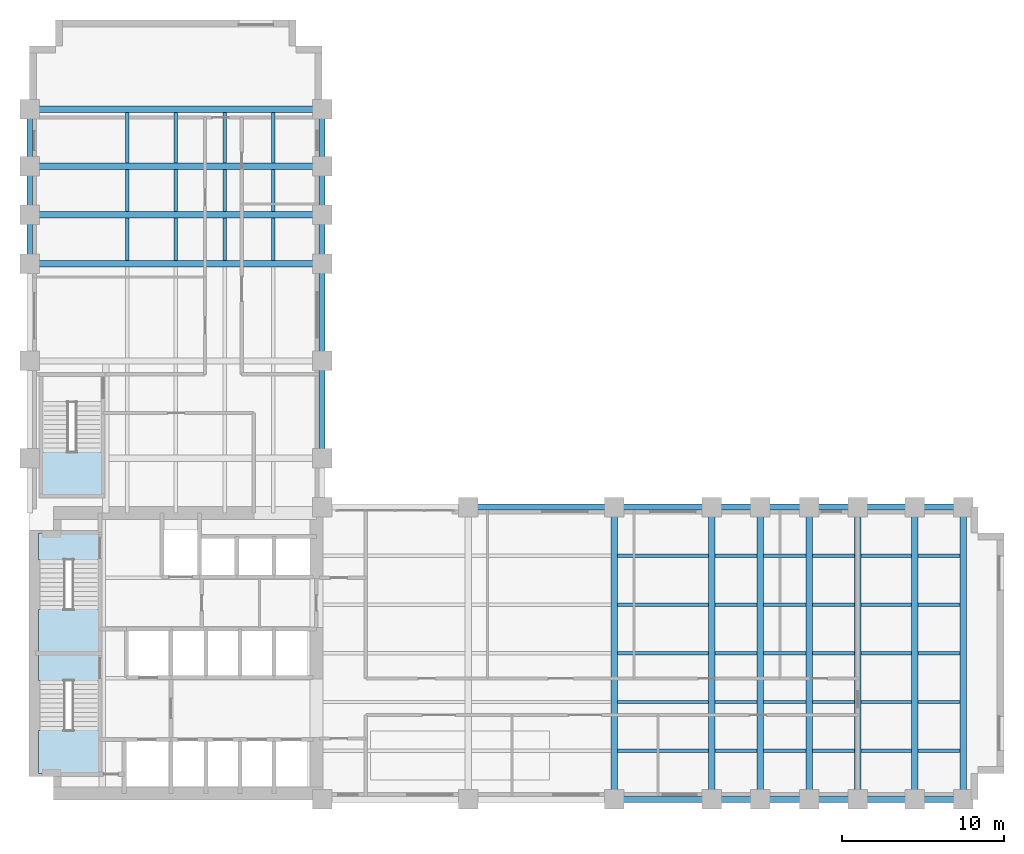
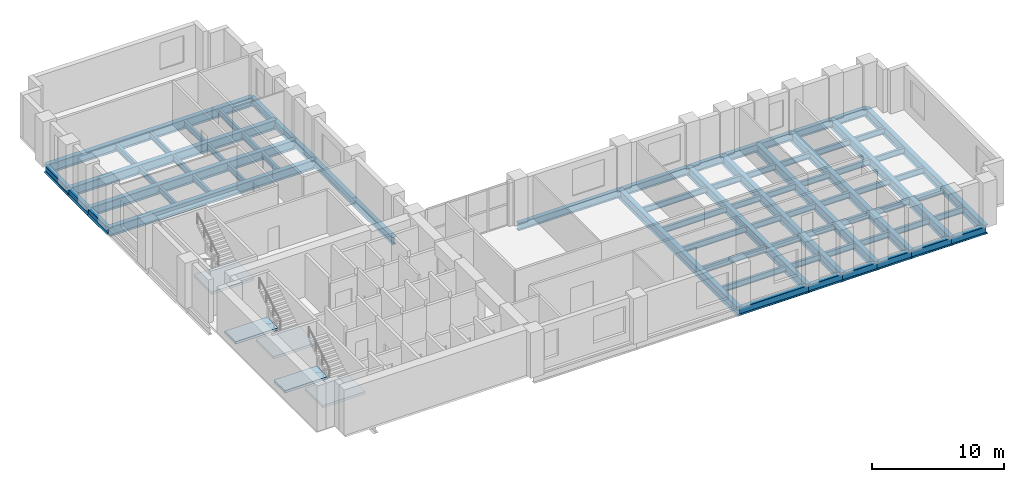
# One storey, part 3 of 8: 74 beams, 5 slabs, 3 elements without a shape of their own.
"""IFC4 building model written with IfcOpenShell, lengths in metres."""

from ifc_helpers import new_model, si_unit, direction, frame, origin, origin_2d, place, context, subcontext, project, spatial, polyline, i_section, outline, extrude, material, layer, layer_set, material_profile, profile_set, type_object, element, aggregate, save


model = new_model("IFC4")

# Units and contexts
model_context = context("Model", 3, precision=1e-05, world=origin(), true_north=direction((0.0, 1.0)))
body_context = subcontext(model_context, "Body", "Model", "MODEL_VIEW")
ifc_project = project(units=[si_unit("LENGTHUNIT", "METRE"), si_unit("AREAUNIT", "SQUARE_METRE"), si_unit("VOLUMEUNIT", "CUBIC_METRE"), si_unit("PLANEANGLEUNIT", "RADIAN"), si_unit("MASSUNIT", "GRAM", prefix="KILO")], contexts=[model_context])

# Site, building, storey
site_placement = place(None, origin())
site = spatial("IfcSite", under=ifc_project, at=site_placement, CompositionType="ELEMENT")
building_placement = place(site_placement, origin())
building = spatial("IfcBuilding", under=site, at=building_placement, Name="Mawjdan Bourse Tower", CompositionType="ELEMENT")
storey_placement = place(building_placement, frame((0.0, 0.0, 25.800048828125)))
storey = spatial("IfcBuildingStorey", under=building, at=storey_placement, Name="L05", CompositionType="ELEMENT", Elevation=25.800048828125)

# Beams
ifc_material_1 = material(Name="Structural Steel S355", Category="steel")
ifc_material_profile_1 = material_profile(ifc_material_1, i_section(OverallWidth=0.39892578125, OverallDepth=0.85595703125, WebThickness=0.018310546875, FlangeThickness=0.029296875, FilletRadius=0.0234375, at=origin_2d()), Name="W33X201")
ifc_profile_set_1 = profile_set([ifc_material_profile_1], Name="Structural Steel S355")
beam_type_1 = type_object("IfcBeamType", Name="GRD-W33X201", PredefinedType="BEAM", material=ifc_profile_set_1)
for number, where, z_axis, x_axis, name in (
    (1, (42.0, 3.0, -0.64794921875), (0.0, 1.0, 0.0), (-1.0, 0.0, 0.0), "L05 East Wing Clear-Span Girder 003"),
    (2, (48.0, 3.0, -0.64794921875), (0.0, 1.0, 0.0), (-1.0, 0.0, 0.0), "L05 East Wing Clear-Span Girder 004"),
    (3, (51.0, 3.0, -0.64794921875), (0.0, 1.0, 0.0), (-1.0, 0.0, 0.0), "L05 East Wing Clear-Span Girder 005"),
    (4, (54.0, 3.0, -0.64794921875), (0.0, 1.0, 0.0), (-1.0, 0.0, 0.0), "L05 East Wing Clear-Span Girder 006"),
    (5, (57.0, 3.0, -0.64794921875), (0.0, 1.0, 0.0), (-1.0, 0.0, 0.0), "L05 East Wing Clear-Span Girder 007"),
    (6, (60.5, 3.0, -0.64794921875), (0.0, 1.0, 0.0), (-1.0, 0.0, 0.0), "L05 East Wing Clear-Span Girder 008"),
    (7, (63.5, 3.0, -0.64794921875), (0.0, 1.0, 0.0), (-1.0, 0.0, 0.0), "L05 East Wing Clear-Span Girder 009"),
    (8, (6.0, 36.0, -0.64794921875), (1.0, 0.0, 0.0), (0.0, 1.0, 0.0), "L05 North Wing Clear-Span Girder 073"),
    (9, (6.0, 39.0, -0.64794921875), (1.0, 0.0, 0.0), (0.0, 1.0, 0.0), "L05 North Wing Clear-Span Girder 074"),
    (10, (6.0, 42.0, -0.64794921875), (1.0, 0.0, 0.0), (0.0, 1.0, 0.0), "L05 North Wing Clear-Span Girder 075"),
    (11, (6.0, 45.5, -0.64794921875), (1.0, 0.0, 0.0), (0.0, 1.0, 0.0), "L05 North Wing Clear-Span Girder 076"),
):
    element("IfcBeam", number, at=place(storey_placement, frame(where, z_axis=z_axis, x_axis=x_axis)), inside=storey, type_object=beam_type_1, Name=name, PredefinedType="BEAM", context=body_context, shape_type="SweptSolid", body=[
        extrude(i_section(OverallWidth=0.39892578125, OverallDepth=0.85595703125, WebThickness=0.018310546875, FlangeThickness=0.029296875, FilletRadius=0.0234375, at=origin_2d()), origin(), (0.0, 0.0, 1.0), 18.0),
    ])
ifc_material_profile_2 = material_profile(ifc_material_1, i_section(OverallWidth=0.2119140625, OverallDepth=0.5439453125, WebThickness=0.01318359375, FlangeThickness=0.021240234375, FilletRadius=0.01708984375, at=origin_2d()), Name="W21X83")
ifc_profile_set_2 = profile_set([ifc_material_profile_2], Name="Structural Steel S355")
beam_type_2 = type_object("IfcBeamType", Name="JST-W21X83", PredefinedType="JOIST", material=ifc_profile_set_2)
beam_1_placement = place(storey_placement, frame((42.197509765625, 6.0, -0.491943359375), z_axis=(1.0, 0.0, 0.0), x_axis=(0.0, 1.0, 0.0)))
element("IfcBeam", 12, at=beam_1_placement, inside=storey, type_object=beam_type_2, Name="L05 East Wing Composite Joist 028", PredefinedType="JOIST", context=body_context, shape_type="SweptSolid", body=[
    extrude(i_section(OverallWidth=0.2119140625, OverallDepth=0.5439453125, WebThickness=0.01318359375, FlangeThickness=0.021240234375, FilletRadius=0.01708984375, at=origin_2d()), origin(), (0.0, 0.0, 1.0), 5.60498046875),
])
for number, where, z_axis, x_axis, name in (
    (13, (48.197509765625, 6.0, -0.491943359375), (1.0, 0.0, 0.0), (0.0, 1.0, 0.0), "L05 East Wing Composite Joist 029"),
    (14, (51.197509765625, 6.0, -0.491943359375), (1.0, 0.0, 0.0), (0.0, 1.0, 0.0), "L05 East Wing Composite Joist 030"),
    (15, (54.197509765625, 6.0, -0.491943359375), (1.0, 0.0, 0.0), (0.0, 1.0, 0.0), "L05 East Wing Composite Joist 031"),
):
    element("IfcBeam", number, at=place(storey_placement, frame(where, z_axis=z_axis, x_axis=x_axis)), inside=storey, type_object=beam_type_2, Name=name, PredefinedType="JOIST", context=body_context, shape_type="SweptSolid", body=[
        extrude(i_section(OverallWidth=0.2119140625, OverallDepth=0.5439453125, WebThickness=0.01318359375, FlangeThickness=0.021240234375, FilletRadius=0.01708984375, at=origin_2d()), origin(), (0.0, 0.0, 1.0), 2.60498046875),
    ])
beam_2_placement = place(storey_placement, frame((57.197509765625, 6.0, -0.491943359375), z_axis=(1.0, 0.0, 0.0), x_axis=(0.0, 1.0, 0.0)))
element("IfcBeam", 16, at=beam_2_placement, inside=storey, type_object=beam_type_2, Name="L05 East Wing Composite Joist 032", PredefinedType="JOIST", context=body_context, shape_type="SweptSolid", body=[
    extrude(i_section(OverallWidth=0.2119140625, OverallDepth=0.5439453125, WebThickness=0.01318359375, FlangeThickness=0.021240234375, FilletRadius=0.01708984375, at=origin_2d()), origin(), (0.0, 0.0, 1.0), 3.10498046875),
])
beam_3_placement = place(storey_placement, frame((60.697509765625, 6.0, -0.491943359375), z_axis=(1.0, 0.0, 0.0), x_axis=(0.0, 1.0, 0.0)))
element("IfcBeam", 17, at=beam_3_placement, inside=storey, type_object=beam_type_2, Name="L05 East Wing Composite Joist 033", PredefinedType="JOIST", context=body_context, shape_type="SweptSolid", body=[
    extrude(i_section(OverallWidth=0.2119140625, OverallDepth=0.5439453125, WebThickness=0.01318359375, FlangeThickness=0.021240234375, FilletRadius=0.01708984375, at=origin_2d()), origin(), (0.0, 0.0, 1.0), 2.60498046875),
])
beam_4_placement = place(storey_placement, frame((42.197509765625, 9.0, -0.491943359375), z_axis=(1.0, 0.0, 0.0), x_axis=(0.0, 1.0, 0.0)))
element("IfcBeam", 18, at=beam_4_placement, inside=storey, type_object=beam_type_2, Name="L05 East Wing Composite Joist 036", PredefinedType="JOIST", context=body_context, shape_type="SweptSolid", body=[
    extrude(i_section(OverallWidth=0.2119140625, OverallDepth=0.5439453125, WebThickness=0.01318359375, FlangeThickness=0.021240234375, FilletRadius=0.01708984375, at=origin_2d()), origin(), (0.0, 0.0, 1.0), 5.60498046875),
])
for number, where, z_axis, x_axis, name in (
    (19, (48.197509765625, 9.0, -0.491943359375), (1.0, 0.0, 0.0), (0.0, 1.0, 0.0), "L05 East Wing Composite Joist 037"),
    (20, (51.197509765625, 9.0, -0.491943359375), (1.0, 0.0, 0.0), (0.0, 1.0, 0.0), "L05 East Wing Composite Joist 038"),
    (21, (54.197509765625, 9.0, -0.491943359375), (1.0, 0.0, 0.0), (0.0, 1.0, 0.0), "L05 East Wing Composite Joist 039"),
):
    element("IfcBeam", number, at=place(storey_placement, frame(where, z_axis=z_axis, x_axis=x_axis)), inside=storey, type_object=beam_type_2, Name=name, PredefinedType="JOIST", context=body_context, shape_type="SweptSolid", body=[
        extrude(i_section(OverallWidth=0.2119140625, OverallDepth=0.5439453125, WebThickness=0.01318359375, FlangeThickness=0.021240234375, FilletRadius=0.01708984375, at=origin_2d()), origin(), (0.0, 0.0, 1.0), 2.60498046875),
    ])
beam_5_placement = place(storey_placement, frame((57.197509765625, 9.0, -0.491943359375), z_axis=(1.0, 0.0, 0.0), x_axis=(0.0, 1.0, 0.0)))
element("IfcBeam", 22, at=beam_5_placement, inside=storey, type_object=beam_type_2, Name="L05 East Wing Composite Joist 040", PredefinedType="JOIST", context=body_context, shape_type="SweptSolid", body=[
    extrude(i_section(OverallWidth=0.2119140625, OverallDepth=0.5439453125, WebThickness=0.01318359375, FlangeThickness=0.021240234375, FilletRadius=0.01708984375, at=origin_2d()), origin(), (0.0, 0.0, 1.0), 3.10498046875),
])
beam_6_placement = place(storey_placement, frame((60.697509765625, 9.0, -0.491943359375), z_axis=(1.0, 0.0, 0.0), x_axis=(0.0, 1.0, 0.0)))
element("IfcBeam", 23, at=beam_6_placement, inside=storey, type_object=beam_type_2, Name="L05 East Wing Composite Joist 041", PredefinedType="JOIST", context=body_context, shape_type="SweptSolid", body=[
    extrude(i_section(OverallWidth=0.2119140625, OverallDepth=0.5439453125, WebThickness=0.01318359375, FlangeThickness=0.021240234375, FilletRadius=0.01708984375, at=origin_2d()), origin(), (0.0, 0.0, 1.0), 2.60498046875),
])
beam_7_placement = place(storey_placement, frame((42.197509765625, 12.0, -0.491943359375), z_axis=(1.0, 0.0, 0.0), x_axis=(0.0, 1.0, 0.0)))
element("IfcBeam", 24, at=beam_7_placement, inside=storey, type_object=beam_type_2, Name="L05 East Wing Composite Joist 044", PredefinedType="JOIST", context=body_context, shape_type="SweptSolid", body=[
    extrude(i_section(OverallWidth=0.2119140625, OverallDepth=0.5439453125, WebThickness=0.01318359375, FlangeThickness=0.021240234375, FilletRadius=0.01708984375, at=origin_2d()), origin(), (0.0, 0.0, 1.0), 5.60498046875),
])
for number, where, z_axis, x_axis, name in (
    (25, (48.197509765625, 12.0, -0.491943359375), (1.0, 0.0, 0.0), (0.0, 1.0, 0.0), "L05 East Wing Composite Joist 045"),
    (26, (51.197509765625, 12.0, -0.491943359375), (1.0, 0.0, 0.0), (0.0, 1.0, 0.0), "L05 East Wing Composite Joist 046"),
    (27, (54.197509765625, 12.0, -0.491943359375), (1.0, 0.0, 0.0), (0.0, 1.0, 0.0), "L05 East Wing Composite Joist 047"),
):
    element("IfcBeam", number, at=place(storey_placement, frame(where, z_axis=z_axis, x_axis=x_axis)), inside=storey, type_object=beam_type_2, Name=name, PredefinedType="JOIST", context=body_context, shape_type="SweptSolid", body=[
        extrude(i_section(OverallWidth=0.2119140625, OverallDepth=0.5439453125, WebThickness=0.01318359375, FlangeThickness=0.021240234375, FilletRadius=0.01708984375, at=origin_2d()), origin(), (0.0, 0.0, 1.0), 2.60498046875),
    ])
beam_8_placement = place(storey_placement, frame((57.197509765625, 12.0, -0.491943359375), z_axis=(1.0, 0.0, 0.0), x_axis=(0.0, 1.0, 0.0)))
element("IfcBeam", 28, at=beam_8_placement, inside=storey, type_object=beam_type_2, Name="L05 East Wing Composite Joist 048", PredefinedType="JOIST", context=body_context, shape_type="SweptSolid", body=[
    extrude(i_section(OverallWidth=0.2119140625, OverallDepth=0.5439453125, WebThickness=0.01318359375, FlangeThickness=0.021240234375, FilletRadius=0.01708984375, at=origin_2d()), origin(), (0.0, 0.0, 1.0), 3.10498046875),
])
beam_9_placement = place(storey_placement, frame((60.697509765625, 12.0, -0.491943359375), z_axis=(1.0, 0.0, 0.0), x_axis=(0.0, 1.0, 0.0)))
element("IfcBeam", 29, at=beam_9_placement, inside=storey, type_object=beam_type_2, Name="L05 East Wing Composite Joist 049", PredefinedType="JOIST", context=body_context, shape_type="SweptSolid", body=[
    extrude(i_section(OverallWidth=0.2119140625, OverallDepth=0.5439453125, WebThickness=0.01318359375, FlangeThickness=0.021240234375, FilletRadius=0.01708984375, at=origin_2d()), origin(), (0.0, 0.0, 1.0), 2.60498046875),
])
beam_10_placement = place(storey_placement, frame((42.197509765625, 15.0, -0.491943359375), z_axis=(1.0, 0.0, 0.0), x_axis=(0.0, 1.0, 0.0)))
element("IfcBeam", 30, at=beam_10_placement, inside=storey, type_object=beam_type_2, Name="L05 East Wing Composite Joist 052", PredefinedType="JOIST", context=body_context, shape_type="SweptSolid", body=[
    extrude(i_section(OverallWidth=0.2119140625, OverallDepth=0.5439453125, WebThickness=0.01318359375, FlangeThickness=0.021240234375, FilletRadius=0.01708984375, at=origin_2d()), origin(), (0.0, 0.0, 1.0), 5.60498046875),
])
for number, where, z_axis, x_axis, name in (
    (31, (48.197509765625, 15.0, -0.491943359375), (1.0, 0.0, 0.0), (0.0, 1.0, 0.0), "L05 East Wing Composite Joist 053"),
    (32, (51.197509765625, 15.0, -0.491943359375), (1.0, 0.0, 0.0), (0.0, 1.0, 0.0), "L05 East Wing Composite Joist 054"),
    (33, (54.197509765625, 15.0, -0.491943359375), (1.0, 0.0, 0.0), (0.0, 1.0, 0.0), "L05 East Wing Composite Joist 055"),
):
    element("IfcBeam", number, at=place(storey_placement, frame(where, z_axis=z_axis, x_axis=x_axis)), inside=storey, type_object=beam_type_2, Name=name, PredefinedType="JOIST", context=body_context, shape_type="SweptSolid", body=[
        extrude(i_section(OverallWidth=0.2119140625, OverallDepth=0.5439453125, WebThickness=0.01318359375, FlangeThickness=0.021240234375, FilletRadius=0.01708984375, at=origin_2d()), origin(), (0.0, 0.0, 1.0), 2.60498046875),
    ])
beam_11_placement = place(storey_placement, frame((57.197509765625, 15.0, -0.491943359375), z_axis=(1.0, 0.0, 0.0), x_axis=(0.0, 1.0, 0.0)))
element("IfcBeam", 34, at=beam_11_placement, inside=storey, type_object=beam_type_2, Name="L05 East Wing Composite Joist 056", PredefinedType="JOIST", context=body_context, shape_type="SweptSolid", body=[
    extrude(i_section(OverallWidth=0.2119140625, OverallDepth=0.5439453125, WebThickness=0.01318359375, FlangeThickness=0.021240234375, FilletRadius=0.01708984375, at=origin_2d()), origin(), (0.0, 0.0, 1.0), 3.10498046875),
])
beam_12_placement = place(storey_placement, frame((60.697509765625, 15.0, -0.491943359375), z_axis=(1.0, 0.0, 0.0), x_axis=(0.0, 1.0, 0.0)))
element("IfcBeam", 35, at=beam_12_placement, inside=storey, type_object=beam_type_2, Name="L05 East Wing Composite Joist 057", PredefinedType="JOIST", context=body_context, shape_type="SweptSolid", body=[
    extrude(i_section(OverallWidth=0.2119140625, OverallDepth=0.5439453125, WebThickness=0.01318359375, FlangeThickness=0.021240234375, FilletRadius=0.01708984375, at=origin_2d()), origin(), (0.0, 0.0, 1.0), 2.60498046875),
])
beam_13_placement = place(storey_placement, frame((42.197509765625, 18.0, -0.491943359375), z_axis=(1.0, 0.0, 0.0), x_axis=(0.0, 1.0, 0.0)))
element("IfcBeam", 36, at=beam_13_placement, inside=storey, type_object=beam_type_2, Name="L05 East Wing Composite Joist 060", PredefinedType="JOIST", context=body_context, shape_type="SweptSolid", body=[
    extrude(i_section(OverallWidth=0.2119140625, OverallDepth=0.5439453125, WebThickness=0.01318359375, FlangeThickness=0.021240234375, FilletRadius=0.01708984375, at=origin_2d()), origin(), (0.0, 0.0, 1.0), 5.60498046875),
])
for number, where, z_axis, x_axis, name in (
    (37, (48.197509765625, 18.0, -0.491943359375), (1.0, 0.0, 0.0), (0.0, 1.0, 0.0), "L05 East Wing Composite Joist 061"),
    (38, (51.197509765625, 18.0, -0.491943359375), (1.0, 0.0, 0.0), (0.0, 1.0, 0.0), "L05 East Wing Composite Joist 062"),
    (39, (54.197509765625, 18.0, -0.491943359375), (1.0, 0.0, 0.0), (0.0, 1.0, 0.0), "L05 East Wing Composite Joist 063"),
):
    element("IfcBeam", number, at=place(storey_placement, frame(where, z_axis=z_axis, x_axis=x_axis)), inside=storey, type_object=beam_type_2, Name=name, PredefinedType="JOIST", context=body_context, shape_type="SweptSolid", body=[
        extrude(i_section(OverallWidth=0.2119140625, OverallDepth=0.5439453125, WebThickness=0.01318359375, FlangeThickness=0.021240234375, FilletRadius=0.01708984375, at=origin_2d()), origin(), (0.0, 0.0, 1.0), 2.60498046875),
    ])
beam_14_placement = place(storey_placement, frame((57.197509765625, 18.0, -0.491943359375), z_axis=(1.0, 0.0, 0.0), x_axis=(0.0, 1.0, 0.0)))
element("IfcBeam", 40, at=beam_14_placement, inside=storey, type_object=beam_type_2, Name="L05 East Wing Composite Joist 064", PredefinedType="JOIST", context=body_context, shape_type="SweptSolid", body=[
    extrude(i_section(OverallWidth=0.2119140625, OverallDepth=0.5439453125, WebThickness=0.01318359375, FlangeThickness=0.021240234375, FilletRadius=0.01708984375, at=origin_2d()), origin(), (0.0, 0.0, 1.0), 3.10498046875),
])
for number, where, z_axis, x_axis, name in (
    (41, (60.697509765625, 18.0, -0.491943359375), (1.0, 0.0, 0.0), (0.0, 1.0, 0.0), "L05 East Wing Composite Joist 065"),
    (42, (12.0, 36.197509765625, -0.491943359375), (0.0, 1.0, 0.0), (-1.0, 0.0, 0.0), "L05 North Wing Composite Joist 092"),
    (43, (12.0, 39.197509765625, -0.491943359375), (0.0, 1.0, 0.0), (-1.0, 0.0, 0.0), "L05 North Wing Composite Joist 093"),
):
    element("IfcBeam", number, at=place(storey_placement, frame(where, z_axis=z_axis, x_axis=x_axis)), inside=storey, type_object=beam_type_2, Name=name, PredefinedType="JOIST", context=body_context, shape_type="SweptSolid", body=[
        extrude(i_section(OverallWidth=0.2119140625, OverallDepth=0.5439453125, WebThickness=0.01318359375, FlangeThickness=0.021240234375, FilletRadius=0.01708984375, at=origin_2d()), origin(), (0.0, 0.0, 1.0), 2.60498046875),
    ])
beam_15_placement = place(storey_placement, frame((12.0, 42.197509765625, -0.491943359375), z_axis=(0.0, 1.0, 0.0), x_axis=(-1.0, 0.0, 0.0)))
element("IfcBeam", 44, at=beam_15_placement, inside=storey, type_object=beam_type_2, Name="L05 North Wing Composite Joist 094", PredefinedType="JOIST", context=body_context, shape_type="SweptSolid", body=[
    extrude(i_section(OverallWidth=0.2119140625, OverallDepth=0.5439453125, WebThickness=0.01318359375, FlangeThickness=0.021240234375, FilletRadius=0.01708984375, at=origin_2d()), origin(), (0.0, 0.0, 1.0), 3.10498046875),
])
for number, where, z_axis, x_axis, name in (
    (45, (15.0, 36.197509765625, -0.491943359375), (0.0, 1.0, 0.0), (-1.0, 0.0, 0.0), "L05 North Wing Composite Joist 098"),
    (46, (15.0, 39.197509765625, -0.491943359375), (0.0, 1.0, 0.0), (-1.0, 0.0, 0.0), "L05 North Wing Composite Joist 099"),
):
    element("IfcBeam", number, at=place(storey_placement, frame(where, z_axis=z_axis, x_axis=x_axis)), inside=storey, type_object=beam_type_2, Name=name, PredefinedType="JOIST", context=body_context, shape_type="SweptSolid", body=[
        extrude(i_section(OverallWidth=0.2119140625, OverallDepth=0.5439453125, WebThickness=0.01318359375, FlangeThickness=0.021240234375, FilletRadius=0.01708984375, at=origin_2d()), origin(), (0.0, 0.0, 1.0), 2.60498046875),
    ])
beam_16_placement = place(storey_placement, frame((15.0, 42.197509765625, -0.491943359375), z_axis=(0.0, 1.0, 0.0), x_axis=(-1.0, 0.0, 0.0)))
element("IfcBeam", 47, at=beam_16_placement, inside=storey, type_object=beam_type_2, Name="L05 North Wing Composite Joist 100", PredefinedType="JOIST", context=body_context, shape_type="SweptSolid", body=[
    extrude(i_section(OverallWidth=0.2119140625, OverallDepth=0.5439453125, WebThickness=0.01318359375, FlangeThickness=0.021240234375, FilletRadius=0.01708984375, at=origin_2d()), origin(), (0.0, 0.0, 1.0), 3.10498046875),
])
for number, where, z_axis, x_axis, name in (
    (48, (18.0, 36.197509765625, -0.491943359375), (0.0, 1.0, 0.0), (-1.0, 0.0, 0.0), "L05 North Wing Composite Joist 104"),
    (49, (18.0, 39.197509765625, -0.491943359375), (0.0, 1.0, 0.0), (-1.0, 0.0, 0.0), "L05 North Wing Composite Joist 105"),
):
    element("IfcBeam", number, at=place(storey_placement, frame(where, z_axis=z_axis, x_axis=x_axis)), inside=storey, type_object=beam_type_2, Name=name, PredefinedType="JOIST", context=body_context, shape_type="SweptSolid", body=[
        extrude(i_section(OverallWidth=0.2119140625, OverallDepth=0.5439453125, WebThickness=0.01318359375, FlangeThickness=0.021240234375, FilletRadius=0.01708984375, at=origin_2d()), origin(), (0.0, 0.0, 1.0), 2.60498046875),
    ])
beam_17_placement = place(storey_placement, frame((18.0, 42.197509765625, -0.491943359375), z_axis=(0.0, 1.0, 0.0), x_axis=(-1.0, 0.0, 0.0)))
element("IfcBeam", 50, at=beam_17_placement, inside=storey, type_object=beam_type_2, Name="L05 North Wing Composite Joist 106", PredefinedType="JOIST", context=body_context, shape_type="SweptSolid", body=[
    extrude(i_section(OverallWidth=0.2119140625, OverallDepth=0.5439453125, WebThickness=0.01318359375, FlangeThickness=0.021240234375, FilletRadius=0.01708984375, at=origin_2d()), origin(), (0.0, 0.0, 1.0), 3.10498046875),
])
for number, where, z_axis, x_axis, name in (
    (51, (21.0, 36.197509765625, -0.491943359375), (0.0, 1.0, 0.0), (-1.0, 0.0, 0.0), "L05 North Wing Composite Joist 110"),
    (52, (21.0, 39.197509765625, -0.491943359375), (0.0, 1.0, 0.0), (-1.0, 0.0, 0.0), "L05 North Wing Composite Joist 111"),
):
    element("IfcBeam", number, at=place(storey_placement, frame(where, z_axis=z_axis, x_axis=x_axis)), inside=storey, type_object=beam_type_2, Name=name, PredefinedType="JOIST", context=body_context, shape_type="SweptSolid", body=[
        extrude(i_section(OverallWidth=0.2119140625, OverallDepth=0.5439453125, WebThickness=0.01318359375, FlangeThickness=0.021240234375, FilletRadius=0.01708984375, at=origin_2d()), origin(), (0.0, 0.0, 1.0), 2.60498046875),
    ])
beam_18_placement = place(storey_placement, frame((21.0, 42.197509765625, -0.491943359375), z_axis=(0.0, 1.0, 0.0), x_axis=(-1.0, 0.0, 0.0)))
element("IfcBeam", 53, at=beam_18_placement, inside=storey, type_object=beam_type_2, Name="L05 North Wing Composite Joist 112", PredefinedType="JOIST", context=body_context, shape_type="SweptSolid", body=[
    extrude(i_section(OverallWidth=0.2119140625, OverallDepth=0.5439453125, WebThickness=0.01318359375, FlangeThickness=0.021240234375, FilletRadius=0.01708984375, at=origin_2d()), origin(), (0.0, 0.0, 1.0), 3.10498046875),
])
ifc_material_profile_3 = material_profile(ifc_material_1, i_section(OverallWidth=0.35498046875, OverallDepth=0.696044921875, WebThickness=0.015380859375, FlangeThickness=0.02490234375, FilletRadius=0.019775390625, at=origin_2d()), Name="W27X146")
ifc_profile_set_3 = profile_set([ifc_material_profile_3], Name="Structural Steel S355")
beam_type_3 = type_object("IfcBeamType", Name="SPN-W27X146", PredefinedType="SPANDREL", material=ifc_profile_set_3)
beam_19_placement = place(storey_placement, frame((42.0, 3.0, -0.568115234375), z_axis=(1.0, 0.0, 0.0), x_axis=(0.0, 1.0, 0.0)))
element("IfcBeam", 54, at=beam_19_placement, inside=storey, type_object=beam_type_3, Name="L05 Perimeter Masonry-Shelf Spandrel 012", PredefinedType="SPANDREL", context=body_context, shape_type="SweptSolid", body=[
    extrude(i_section(OverallWidth=0.35498046875, OverallDepth=0.696044921875, WebThickness=0.015380859375, FlangeThickness=0.02490234375, FilletRadius=0.019775390625, at=origin_2d()), origin(), (0.0, 0.0, 1.0), 6.0),
])
for number, where, z_axis, x_axis, name in (
    (55, (48.0, 3.0, -0.568115234375), (1.0, 0.0, 0.0), (0.0, 1.0, 0.0), "L05 Perimeter Masonry-Shelf Spandrel 013"),
    (56, (51.0, 3.0, -0.568115234375), (1.0, 0.0, 0.0), (0.0, 1.0, 0.0), "L05 Perimeter Masonry-Shelf Spandrel 014"),
    (57, (54.0, 3.0, -0.568115234375), (1.0, 0.0, 0.0), (0.0, 1.0, 0.0), "L05 Perimeter Masonry-Shelf Spandrel 015"),
):
    element("IfcBeam", number, at=place(storey_placement, frame(where, z_axis=z_axis, x_axis=x_axis)), inside=storey, type_object=beam_type_3, Name=name, PredefinedType="SPANDREL", context=body_context, shape_type="SweptSolid", body=[
        extrude(i_section(OverallWidth=0.35498046875, OverallDepth=0.696044921875, WebThickness=0.015380859375, FlangeThickness=0.02490234375, FilletRadius=0.019775390625, at=origin_2d()), origin(), (0.0, 0.0, 1.0), 3.0),
    ])
beam_20_placement = place(storey_placement, frame((57.0, 3.0, -0.568115234375), z_axis=(1.0, 0.0, 0.0), x_axis=(0.0, 1.0, 0.0)))
element("IfcBeam", 58, at=beam_20_placement, inside=storey, type_object=beam_type_3, Name="L05 Perimeter Masonry-Shelf Spandrel 016", PredefinedType="SPANDREL", context=body_context, shape_type="SweptSolid", body=[
    extrude(i_section(OverallWidth=0.35498046875, OverallDepth=0.696044921875, WebThickness=0.015380859375, FlangeThickness=0.02490234375, FilletRadius=0.019775390625, at=origin_2d()), origin(), (0.0, 0.0, 1.0), 3.5),
])
beam_21_placement = place(storey_placement, frame((60.5, 3.0, -0.568115234375), z_axis=(1.0, 0.0, 0.0), x_axis=(0.0, 1.0, 0.0)))
element("IfcBeam", 59, at=beam_21_placement, inside=storey, type_object=beam_type_3, Name="L05 Perimeter Masonry-Shelf Spandrel 017", PredefinedType="SPANDREL", context=body_context, shape_type="SweptSolid", body=[
    extrude(i_section(OverallWidth=0.35498046875, OverallDepth=0.696044921875, WebThickness=0.015380859375, FlangeThickness=0.02490234375, FilletRadius=0.019775390625, at=origin_2d()), origin(), (0.0, 0.0, 1.0), 3.0),
])
beam_22_placement = place(storey_placement, frame((33.0, 21.0, -0.568115234375), z_axis=(1.0, 0.0, 0.0), x_axis=(0.0, 1.0, 0.0)))
element("IfcBeam", 60, at=beam_22_placement, inside=storey, type_object=beam_type_3, Name="L05 Perimeter Masonry-Shelf Spandrel 019", PredefinedType="SPANDREL", context=body_context, shape_type="SweptSolid", body=[
    extrude(i_section(OverallWidth=0.35498046875, OverallDepth=0.696044921875, WebThickness=0.015380859375, FlangeThickness=0.02490234375, FilletRadius=0.019775390625, at=origin_2d()), origin(), (0.0, 0.0, 1.0), 9.0),
])
beam_23_placement = place(storey_placement, frame((42.0, 21.0, -0.568115234375), z_axis=(1.0, 0.0, 0.0), x_axis=(0.0, 1.0, 0.0)))
element("IfcBeam", 61, at=beam_23_placement, inside=storey, type_object=beam_type_3, Name="L05 Perimeter Masonry-Shelf Spandrel 020", PredefinedType="SPANDREL", context=body_context, shape_type="SweptSolid", body=[
    extrude(i_section(OverallWidth=0.35498046875, OverallDepth=0.696044921875, WebThickness=0.015380859375, FlangeThickness=0.02490234375, FilletRadius=0.019775390625, at=origin_2d()), origin(), (0.0, 0.0, 1.0), 6.0),
])
for number, where, z_axis, x_axis, name in (
    (62, (48.0, 21.0, -0.568115234375), (1.0, 0.0, 0.0), (0.0, 1.0, 0.0), "L05 Perimeter Masonry-Shelf Spandrel 021"),
    (63, (51.0, 21.0, -0.568115234375), (1.0, 0.0, 0.0), (0.0, 1.0, 0.0), "L05 Perimeter Masonry-Shelf Spandrel 022"),
    (64, (54.0, 21.0, -0.568115234375), (1.0, 0.0, 0.0), (0.0, 1.0, 0.0), "L05 Perimeter Masonry-Shelf Spandrel 023"),
):
    element("IfcBeam", number, at=place(storey_placement, frame(where, z_axis=z_axis, x_axis=x_axis)), inside=storey, type_object=beam_type_3, Name=name, PredefinedType="SPANDREL", context=body_context, shape_type="SweptSolid", body=[
        extrude(i_section(OverallWidth=0.35498046875, OverallDepth=0.696044921875, WebThickness=0.015380859375, FlangeThickness=0.02490234375, FilletRadius=0.019775390625, at=origin_2d()), origin(), (0.0, 0.0, 1.0), 3.0),
    ])
beam_24_placement = place(storey_placement, frame((57.0, 21.0, -0.568115234375), z_axis=(1.0, 0.0, 0.0), x_axis=(0.0, 1.0, 0.0)))
element("IfcBeam", 65, at=beam_24_placement, inside=storey, type_object=beam_type_3, Name="L05 Perimeter Masonry-Shelf Spandrel 024", PredefinedType="SPANDREL", context=body_context, shape_type="SweptSolid", body=[
    extrude(i_section(OverallWidth=0.35498046875, OverallDepth=0.696044921875, WebThickness=0.015380859375, FlangeThickness=0.02490234375, FilletRadius=0.019775390625, at=origin_2d()), origin(), (0.0, 0.0, 1.0), 3.5),
])
for number, where, z_axis, x_axis, name in (
    (66, (60.5, 21.0, -0.568115234375), (1.0, 0.0, 0.0), (0.0, 1.0, 0.0), "L05 Perimeter Masonry-Shelf Spandrel 025"),
    (67, (6.0, 36.0, -0.568115234375), (0.0, 1.0, 0.0), (-1.0, 0.0, 0.0), "L05 North Wing Spandrel 080"),
    (68, (6.0, 39.0, -0.568115234375), (0.0, 1.0, 0.0), (-1.0, 0.0, 0.0), "L05 North Wing Spandrel 081"),
):
    element("IfcBeam", number, at=place(storey_placement, frame(where, z_axis=z_axis, x_axis=x_axis)), inside=storey, type_object=beam_type_3, Name=name, PredefinedType="SPANDREL", context=body_context, shape_type="SweptSolid", body=[
        extrude(i_section(OverallWidth=0.35498046875, OverallDepth=0.696044921875, WebThickness=0.015380859375, FlangeThickness=0.02490234375, FilletRadius=0.019775390625, at=origin_2d()), origin(), (0.0, 0.0, 1.0), 3.0),
    ])
beam_25_placement = place(storey_placement, frame((6.0, 42.0, -0.568115234375), z_axis=(0.0, 1.0, 0.0), x_axis=(-1.0, 0.0, 0.0)))
element("IfcBeam", 69, at=beam_25_placement, inside=storey, type_object=beam_type_3, Name="L05 North Wing Spandrel 082", PredefinedType="SPANDREL", context=body_context, shape_type="SweptSolid", body=[
    extrude(i_section(OverallWidth=0.35498046875, OverallDepth=0.696044921875, WebThickness=0.015380859375, FlangeThickness=0.02490234375, FilletRadius=0.019775390625, at=origin_2d()), origin(), (0.0, 0.0, 1.0), 3.5),
])
for number, where, z_axis, x_axis, name in (
    (70, (24.0, 24.0, -0.568115234375), (0.0, 1.0, 0.0), (-1.0, 0.0, 0.0), "L05 North Wing Spandrel 084"),
    (71, (24.0, 30.0, -0.568115234375), (0.0, 1.0, 0.0), (-1.0, 0.0, 0.0), "L05 North Wing Spandrel 085"),
):
    element("IfcBeam", number, at=place(storey_placement, frame(where, z_axis=z_axis, x_axis=x_axis)), inside=storey, type_object=beam_type_3, Name=name, PredefinedType="SPANDREL", context=body_context, shape_type="SweptSolid", body=[
        extrude(i_section(OverallWidth=0.35498046875, OverallDepth=0.696044921875, WebThickness=0.015380859375, FlangeThickness=0.02490234375, FilletRadius=0.019775390625, at=origin_2d()), origin(), (0.0, 0.0, 1.0), 6.0),
    ])
for number, where, z_axis, x_axis, name in (
    (72, (24.0, 36.0, -0.568115234375), (0.0, 1.0, 0.0), (-1.0, 0.0, 0.0), "L05 North Wing Spandrel 086"),
    (73, (24.0, 39.0, -0.568115234375), (0.0, 1.0, 0.0), (-1.0, 0.0, 0.0), "L05 North Wing Spandrel 087"),
):
    element("IfcBeam", number, at=place(storey_placement, frame(where, z_axis=z_axis, x_axis=x_axis)), inside=storey, type_object=beam_type_3, Name=name, PredefinedType="SPANDREL", context=body_context, shape_type="SweptSolid", body=[
        extrude(i_section(OverallWidth=0.35498046875, OverallDepth=0.696044921875, WebThickness=0.015380859375, FlangeThickness=0.02490234375, FilletRadius=0.019775390625, at=origin_2d()), origin(), (0.0, 0.0, 1.0), 3.0),
    ])
beam_26_placement = place(storey_placement, frame((24.0, 42.0, -0.568115234375), z_axis=(0.0, 1.0, 0.0), x_axis=(-1.0, 0.0, 0.0)))
element("IfcBeam", 74, at=beam_26_placement, inside=storey, type_object=beam_type_3, Name="L05 North Wing Spandrel 088", PredefinedType="SPANDREL", context=body_context, shape_type="SweptSolid", body=[
    extrude(i_section(OverallWidth=0.35498046875, OverallDepth=0.696044921875, WebThickness=0.015380859375, FlangeThickness=0.02490234375, FilletRadius=0.019775390625, at=origin_2d()), origin(), (0.0, 0.0, 1.0), 3.5),
])

# Stair, slabs
ifc_material_2 = material(Name="Concrete C50/60", Category="concrete")
stair_type = type_object("IfcStairType", Name="STR-CORE-1500", PredefinedType="HALF_TURN_STAIR", material=ifc_material_2)
stair_1_placement = place(storey_placement, origin())
stair_1 = element("IfcStair", 75, at=stair_1_placement, inside=storey, type_object=stair_type, Name="L05 Exit Stair 1 (Core South-West)", PredefinedType="HALF_TURN_STAIR")
ifc_layer = layer(ifc_material_2, 0.22998046875)
ifc_layer_set = layer_set([ifc_layer], Name="Concrete C50/60")
slab_type = type_object("IfcSlabType", Name="SL-LND-230", PredefinedType="LANDING", material=ifc_layer_set)
slab_1_placement = place(storey_placement, frame((0.0, 0.0, -0.22998046875)))
slab_1 = element("IfcSlab", 76, at=slab_1_placement, type_object=slab_type, Name="ST1-L05 landing 1", PredefinedType="LANDING", context=body_context, shape_type="SweptSolid", body=[
    extrude(outline(polyline([(6.5400390625, 10.31005859375), (10.260009765625, 10.31005859375), (10.260009765625, 11.969970703125), (6.5400390625, 11.969970703125), (6.5400390625, 10.31005859375)])), origin(), (0.0, 0.0, 1.0), 0.22998046875),
])
slab_2_placement = place(storey_placement, frame((0.0, 0.0, 1.869873046875)))
slab_2 = element("IfcSlab", 77, at=slab_2_placement, type_object=slab_type, Name="ST1-L05 landing 2", PredefinedType="LANDING", context=body_context, shape_type="SweptSolid", body=[
    extrude(outline(polyline([(6.5400390625, 4.590087890625), (10.260009765625, 4.590087890625), (10.260009765625, 7.2548828125), (6.5400390625, 7.2548828125), (6.5400390625, 4.590087890625)])), origin(), (0.0, 0.0, 1.0), 0.22998046875),
])
aggregate(stair_1, [slab_1, slab_2])

stair_2_placement = place(storey_placement, origin())
stair_2 = element("IfcStair", 78, at=stair_2_placement, inside=storey, type_object=stair_type, Name="L05 Exit Stair 2 (Core North-West)", PredefinedType="HALF_TURN_STAIR")
slab_3_placement = place(storey_placement, frame((0.0, 0.0, -0.22998046875)))
slab_3 = element("IfcSlab", 79, at=slab_3_placement, type_object=slab_type, Name="ST2-L05 landing 1", PredefinedType="LANDING", context=body_context, shape_type="SweptSolid", body=[
    extrude(outline(polyline([(6.5400390625, 17.75), (10.260009765625, 17.75), (10.260009765625, 19.409912109375), (6.5400390625, 19.409912109375), (6.5400390625, 17.75)])), origin(), (0.0, 0.0, 1.0), 0.22998046875),
])
slab_4_placement = place(storey_placement, frame((0.0, 0.0, 1.869873046875)))
slab_4 = element("IfcSlab", 80, at=slab_4_placement, type_object=slab_type, Name="ST2-L05 landing 2", PredefinedType="LANDING", context=body_context, shape_type="SweptSolid", body=[
    extrude(outline(polyline([(6.5400390625, 12.030029296875), (10.260009765625, 12.030029296875), (10.260009765625, 14.695068359375), (6.5400390625, 14.695068359375), (6.5400390625, 12.030029296875)])), origin(), (0.0, 0.0, 1.0), 0.22998046875),
])
aggregate(stair_2, [slab_3, slab_4])

# Stair, slab
stair_3_placement = place(storey_placement, origin())
stair_3 = element("IfcStair", 81, at=stair_3_placement, inside=storey, type_object=stair_type, Name="L05 Exit Stair 3 (North Wing)", PredefinedType="HALF_TURN_STAIR")
slab_5_placement = place(storey_placement, frame((0.0, 0.0, 1.869873046875)))
slab_5 = element("IfcSlab", 82, at=slab_5_placement, type_object=slab_type, Name="ST3-L05 landing 2", PredefinedType="LANDING", context=body_context, shape_type="SweptSolid", body=[
    extrude(outline(polyline([(6.739990234375, 21.739990234375), (10.4599609375, 21.739990234375), (10.4599609375, 24.405029296875), (6.739990234375, 24.405029296875), (6.739990234375, 21.739990234375)])), origin(), (0.0, 0.0, 1.0), 0.22998046875),
])
aggregate(stair_3, [slab_5])

save(model, "model.ifc")
